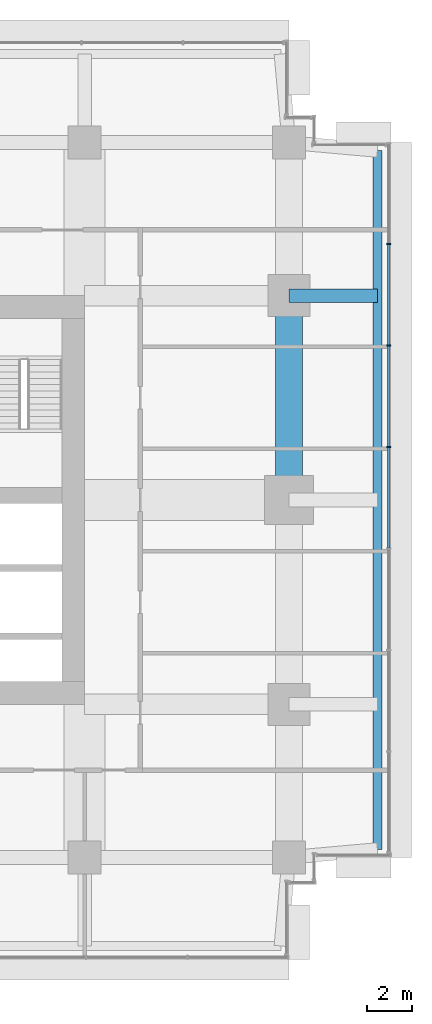
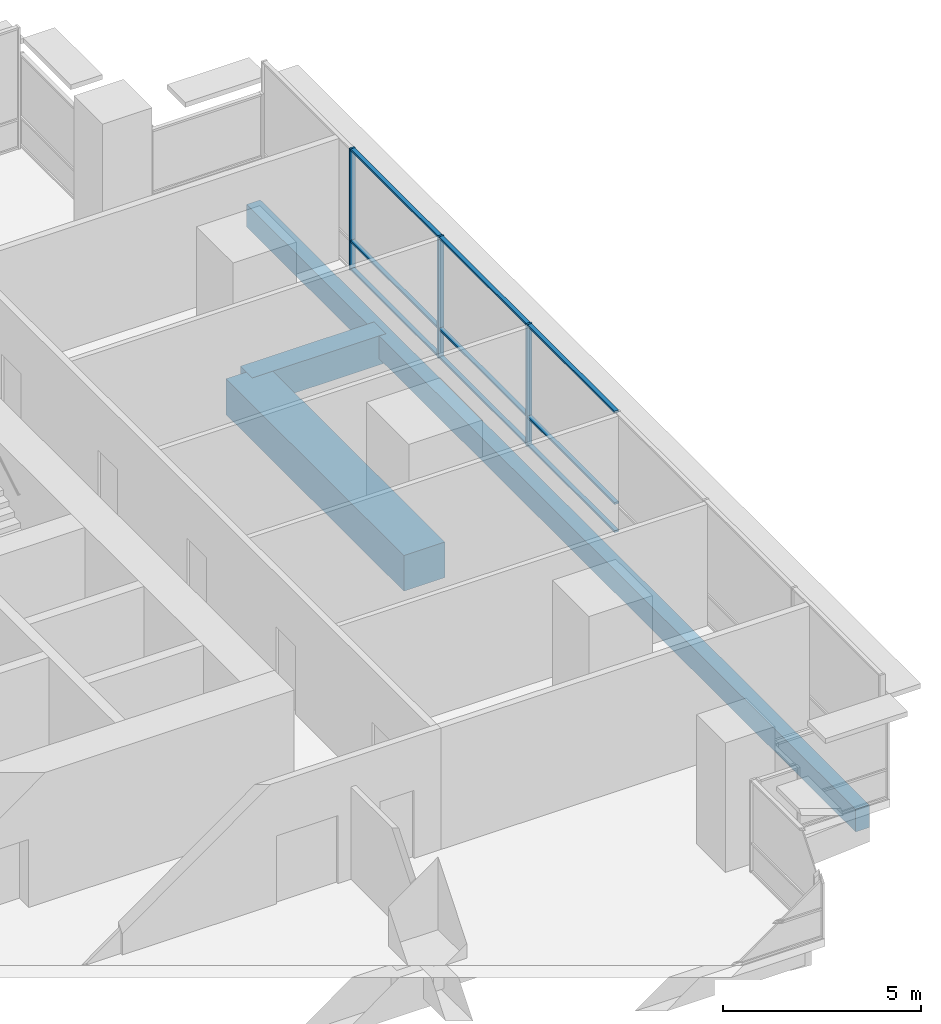
# One storey, part 6 of 14: 12 members, 3 beams, 1 element without a shape of its own.
"""IFC4 building model written with IfcOpenShell, lengths in metres."""

from ifc_helpers import new_model, si_unit, direction, frame, origin, origin_2d, place, context, subcontext, project, spatial, rectangle, extrude, material, layer, layer_set, material_profile, profile_set, type_object, element, aggregate, save


model = new_model("IFC4")

# Units and contexts
model_context = context("Model", 3, precision=1e-05, world=origin(), true_north=direction((0.0, 1.0)))
body_context = subcontext(model_context, "Body", "Model", "MODEL_VIEW")
ifc_project = project(units=[si_unit("LENGTHUNIT", "METRE"), si_unit("AREAUNIT", "SQUARE_METRE"), si_unit("VOLUMEUNIT", "CUBIC_METRE"), si_unit("PLANEANGLEUNIT", "RADIAN"), si_unit("MASSUNIT", "GRAM", prefix="KILO")], contexts=[model_context])

# Site, building, storey
site_placement = place(None, origin())
site = spatial("IfcSite", under=ifc_project, at=site_placement, CompositionType="ELEMENT")
building_placement = place(site_placement, origin())
building = spatial("IfcBuilding", under=site, at=building_placement, Name="Namib Vertical Campus", CompositionType="ELEMENT")
storey_placement = place(building_placement, frame((0.0, 0.0, 269.0)))
storey = spatial("IfcBuildingStorey", under=building, at=storey_placement, Name="L63", CompositionType="ELEMENT", Elevation=269.0)

# Beam
ifc_material_1 = material(Name="Concrete C40/50", Category="concrete")
ifc_material_profile_1 = material_profile(ifc_material_1, rectangle(XDim=0.60009765625, YDim=0.89990234375, at=origin_2d()))
ifc_profile_set_1 = profile_set([ifc_material_profile_1], Name="Concrete C40/50")
beam_type_1 = type_object("IfcBeamType", Name="Cantilever girder RC 600x900", PredefinedType="BEAM", material=ifc_profile_set_1)
beam_1_placement = place(storey_placement, frame((36.0, 29.25, -0.699951171875), z_axis=(1.0, 0.0, 0.0), x_axis=(0.0, 1.0, 0.0)))
element("IfcBeam", 1, at=beam_1_placement, inside=storey, type_object=beam_type_1, Name="Beam B3 L63", PredefinedType="BEAM", context=body_context, shape_type="SweptSolid", body=[
    extrude(rectangle(XDim=0.60009765625, YDim=0.89990234375, at=origin_2d()), origin(), (0.0, 0.0, 1.0), 3.89990234375),
])

# Curtain wall, members
ifc_material_2 = material(Name="Black aluminium curtain wall", Category="aluminium")
ifc_layer = layer(ifc_material_2, 0.199951171875)
ifc_layer_set = layer_set([ifc_layer], Name="Lounge bench curtain wall CW-LB")
curtain_wall_type = type_object("IfcCurtainWallType", Name="Lounge bench curtain wall CW-LB", PredefinedType="USERDEFINED", material=ifc_layer_set)
curtain_wall_placement = place(storey_placement, origin())
curtain_wall = element("IfcCurtainWall", 2, at=curtain_wall_placement, inside=storey, type_object=curtain_wall_type, Name="Curtain wall CW-LB L63 F06-1", ObjectType="CURTAIN WALL", PredefinedType="USERDEFINED")
ifc_material_3 = material(Name="Black anodised aluminium", Category="aluminium")
ifc_material_profile_2 = material_profile(ifc_material_3, rectangle(XDim=0.06005859375, YDim=0.159912109375, at=origin_2d()))
ifc_profile_set_2 = profile_set([ifc_material_profile_2], Name="Black anodised aluminium")
member_type_1 = type_object("IfcMemberType", Name="Curtain wall mullion 60x160", PredefinedType="MULLION", material=ifc_profile_set_2)
member_1_placement = place(storey_placement, frame((40.39990234375, 22.585693359375, 0.0), z_axis=(0.0, 0.0, 1.0), x_axis=(0.0, 1.0, 0.0)))
member_1 = element("IfcMember", 3, at=member_1_placement, type_object=member_type_1, Name="CW-LB mullion 5", PredefinedType="MULLION", context=body_context, shape_type="SweptSolid", body=[
    extrude(rectangle(XDim=0.06005859375, YDim=0.159912109375, at=origin_2d()), origin(), (0.0, 0.0, 1.0), 3.75),
])
member_2_placement = place(storey_placement, frame((40.39990234375, 27.05712890625, 0.0), z_axis=(0.0, 0.0, 1.0), x_axis=(0.0, 1.0, 0.0)))
member_2 = element("IfcMember", 4, at=member_2_placement, type_object=member_type_1, Name="CW-LB mullion 6", PredefinedType="MULLION", context=body_context, shape_type="SweptSolid", body=[
    extrude(rectangle(XDim=0.06005859375, YDim=0.159912109375, at=origin_2d()), origin(), (0.0, 0.0, 1.0), 3.75),
])
member_3_placement = place(storey_placement, frame((40.39990234375, 31.528564453125, 0.0), z_axis=(0.0, 0.0, 1.0), x_axis=(0.0, 1.0, 0.0)))
member_3 = element("IfcMember", 5, at=member_3_placement, type_object=member_type_1, Name="CW-LB mullion 7", PredefinedType="MULLION", context=body_context, shape_type="SweptSolid", body=[
    extrude(rectangle(XDim=0.06005859375, YDim=0.159912109375, at=origin_2d()), origin(), (0.0, 0.0, 1.0), 3.75),
])
ifc_material_4 = material(Name="Black anodised aluminium", Category="aluminium")
ifc_material_profile_3 = material_profile(ifc_material_4, rectangle(XDim=0.06005859375, YDim=0.1201171875, at=origin_2d()))
ifc_profile_set_3 = profile_set([ifc_material_profile_3], Name="Black anodised aluminium")
member_type_2 = type_object("IfcMemberType", Name="Curtain wall transom 60x120", PredefinedType="USERDEFINED", material=ifc_profile_set_3)
member_4_placement = place(storey_placement, frame((40.39990234375, 18.144287109375, 0.030029296875), z_axis=(0.0, 1.0, 0.0), x_axis=(0.0, 0.0, 1.0)))
member_4 = element("IfcMember", 6, at=member_4_placement, type_object=member_type_2, Name="CW-LB transom 4.1", ObjectType="TRANSOM", PredefinedType="USERDEFINED", context=body_context, shape_type="SweptSolid", body=[
    extrude(rectangle(XDim=0.06005859375, YDim=0.1201171875, at=origin_2d()), origin(), (0.0, 0.0, 1.0), 4.411376953125),
])
member_5_placement = place(storey_placement, frame((40.39990234375, 18.144287109375, 0.89990234375), z_axis=(0.0, 1.0, 0.0), x_axis=(0.0, 0.0, 1.0)))
member_5 = element("IfcMember", 7, at=member_5_placement, type_object=member_type_2, Name="CW-LB transom 4.2", ObjectType="TRANSOM", PredefinedType="USERDEFINED", context=body_context, shape_type="SweptSolid", body=[
    extrude(rectangle(XDim=0.06005859375, YDim=0.1201171875, at=origin_2d()), origin(), (0.0, 0.0, 1.0), 4.411376953125),
])
member_6_placement = place(storey_placement, frame((40.39990234375, 18.144287109375, 3.719970703125), z_axis=(0.0, 1.0, 0.0), x_axis=(0.0, 0.0, 1.0)))
member_6 = element("IfcMember", 8, at=member_6_placement, type_object=member_type_2, Name="CW-LB transom 4.3", ObjectType="TRANSOM", PredefinedType="USERDEFINED", context=body_context, shape_type="SweptSolid", body=[
    extrude(rectangle(XDim=0.06005859375, YDim=0.1201171875, at=origin_2d()), origin(), (0.0, 0.0, 1.0), 4.411376953125),
])
member_7_placement = place(storey_placement, frame((40.39990234375, 22.61572265625, 0.030029296875), z_axis=(0.0, 1.0, 0.0), x_axis=(0.0, 0.0, 1.0)))
member_7 = element("IfcMember", 9, at=member_7_placement, type_object=member_type_2, Name="CW-LB transom 5.1", ObjectType="TRANSOM", PredefinedType="USERDEFINED", context=body_context, shape_type="SweptSolid", body=[
    extrude(rectangle(XDim=0.06005859375, YDim=0.1201171875, at=origin_2d()), origin(), (0.0, 0.0, 1.0), 4.411376953125),
])
member_8_placement = place(storey_placement, frame((40.39990234375, 22.61572265625, 0.89990234375), z_axis=(0.0, 1.0, 0.0), x_axis=(0.0, 0.0, 1.0)))
member_8 = element("IfcMember", 10, at=member_8_placement, type_object=member_type_2, Name="CW-LB transom 5.2", ObjectType="TRANSOM", PredefinedType="USERDEFINED", context=body_context, shape_type="SweptSolid", body=[
    extrude(rectangle(XDim=0.06005859375, YDim=0.1201171875, at=origin_2d()), origin(), (0.0, 0.0, 1.0), 4.411376953125),
])
member_9_placement = place(storey_placement, frame((40.39990234375, 22.61572265625, 3.719970703125), z_axis=(0.0, 1.0, 0.0), x_axis=(0.0, 0.0, 1.0)))
member_9 = element("IfcMember", 11, at=member_9_placement, type_object=member_type_2, Name="CW-LB transom 5.3", ObjectType="TRANSOM", PredefinedType="USERDEFINED", context=body_context, shape_type="SweptSolid", body=[
    extrude(rectangle(XDim=0.06005859375, YDim=0.1201171875, at=origin_2d()), origin(), (0.0, 0.0, 1.0), 4.411376953125),
])
member_10_placement = place(storey_placement, frame((40.39990234375, 27.087158203125, 0.030029296875), z_axis=(0.0, 1.0, 0.0), x_axis=(0.0, 0.0, 1.0)))
member_10 = element("IfcMember", 12, at=member_10_placement, type_object=member_type_2, Name="CW-LB transom 6.1", ObjectType="TRANSOM", PredefinedType="USERDEFINED", context=body_context, shape_type="SweptSolid", body=[
    extrude(rectangle(XDim=0.06005859375, YDim=0.1201171875, at=origin_2d()), origin(), (0.0, 0.0, 1.0), 4.411376953125),
])
member_11_placement = place(storey_placement, frame((40.39990234375, 27.087158203125, 0.89990234375), z_axis=(0.0, 1.0, 0.0), x_axis=(0.0, 0.0, 1.0)))
member_11 = element("IfcMember", 13, at=member_11_placement, type_object=member_type_2, Name="CW-LB transom 6.2", ObjectType="TRANSOM", PredefinedType="USERDEFINED", context=body_context, shape_type="SweptSolid", body=[
    extrude(rectangle(XDim=0.06005859375, YDim=0.1201171875, at=origin_2d()), origin(), (0.0, 0.0, 1.0), 4.411376953125),
])
member_12_placement = place(storey_placement, frame((40.39990234375, 27.087158203125, 3.719970703125), z_axis=(0.0, 1.0, 0.0), x_axis=(0.0, 0.0, 1.0)))
member_12 = element("IfcMember", 14, at=member_12_placement, type_object=member_type_2, Name="CW-LB transom 6.3", ObjectType="TRANSOM", PredefinedType="USERDEFINED", context=body_context, shape_type="SweptSolid", body=[
    extrude(rectangle(XDim=0.06005859375, YDim=0.1201171875, at=origin_2d()), origin(), (0.0, 0.0, 1.0), 4.411376953125),
])
aggregate(curtain_wall, [member_1, member_2, member_3, member_4, member_5, member_6, member_7, member_8, member_9, member_10, member_11, member_12])

# Beams
ifc_material_5 = material(Name="Concrete C40/50", Category="concrete")
ifc_material_profile_4 = material_profile(ifc_material_5, rectangle(XDim=0.39990234375, YDim=0.699951171875, at=origin_2d()))
ifc_profile_set_4 = profile_set([ifc_material_profile_4], Name="Concrete C40/50")
beam_type_2 = type_object("IfcBeamType", Name="Edge beam RC 400x700", PredefinedType="SPANDREL", material=ifc_profile_set_4)
beam_2_placement = place(storey_placement, frame((39.89990234375, 4.85009765625, -0.60009765625), z_axis=(0.0, 1.0, 0.0), x_axis=(-1.0, 0.0, 0.0)))
element("IfcBeam", 15, at=beam_2_placement, inside=storey, type_object=beam_type_2, Name="Beam B4 L63", PredefinedType="SPANDREL", context=body_context, shape_type="SweptSolid", body=[
    extrude(rectangle(XDim=0.39990234375, YDim=0.699951171875, at=origin_2d()), origin(), (0.0, 0.0, 1.0), 30.7998046875),
])
ifc_material_6 = material(Name="Concrete C40/50", Category="concrete")
ifc_material_profile_5 = material_profile(ifc_material_6, rectangle(XDim=1.199951171875, YDim=1.10009765625, at=origin_2d()))
ifc_profile_set_5 = profile_set([ifc_material_profile_5], Name="Concrete C40/50")
beam_type_3 = type_object("IfcBeamType", Name="Face ring beam RC 1200x1100", PredefinedType="BEAM", material=ifc_profile_set_5)
beam_3_placement = place(storey_placement, frame((36.0, 20.25, -0.800048828125), z_axis=(0.0, 1.0, 0.0), x_axis=(-1.0, 0.0, 0.0)))
element("IfcBeam", 16, at=beam_3_placement, inside=storey, type_object=beam_type_3, Name="Beam B11 L63", PredefinedType="BEAM", context=body_context, shape_type="SweptSolid", body=[
    extrude(rectangle(XDim=1.199951171875, YDim=1.10009765625, at=origin_2d()), origin(), (0.0, 0.0, 1.0), 9.0),
])

save(model, "model.ifc")
